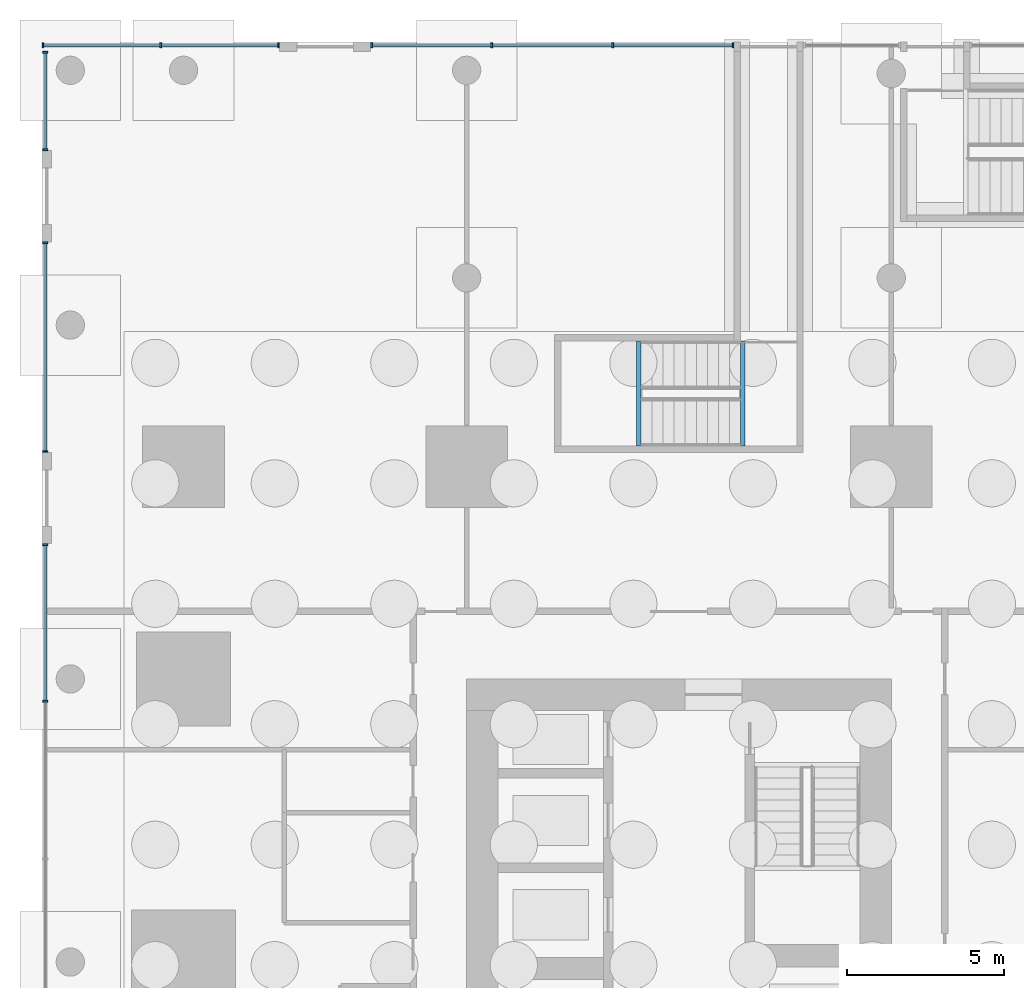
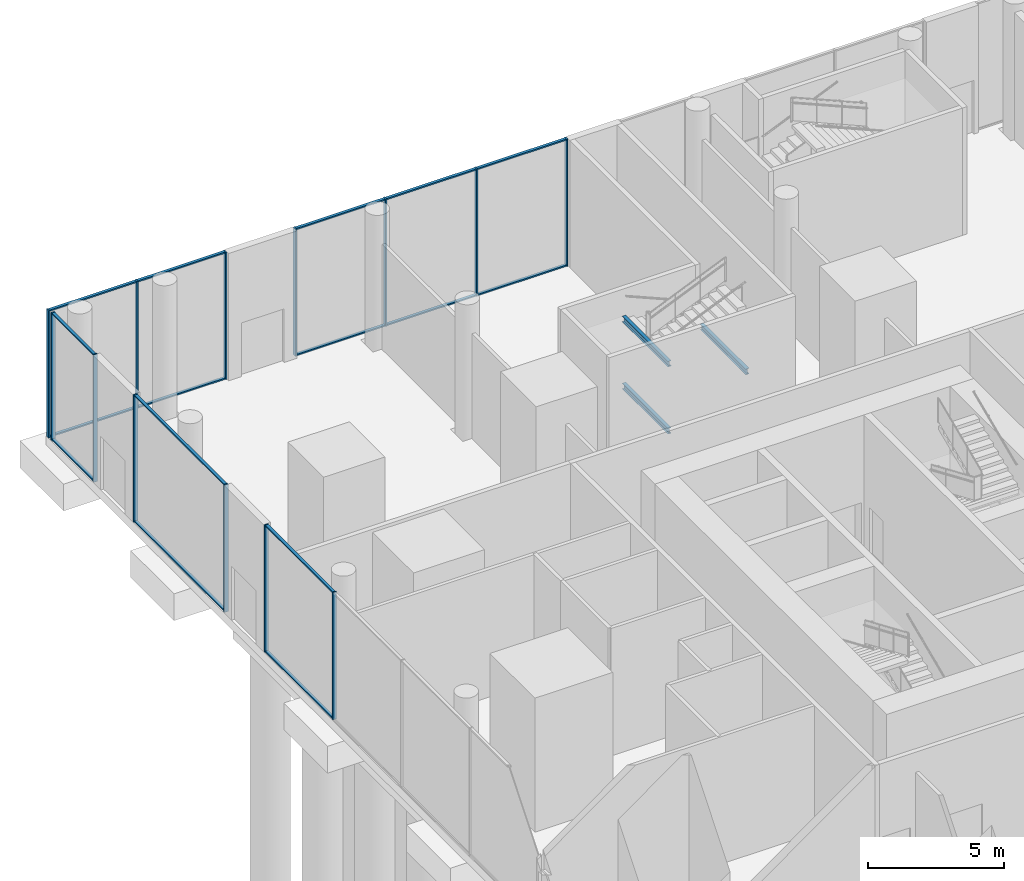
# One storey, part 7 of 31: 29 members, 3 beams, 5 elements without a shape of their own.
"""IFC4 building model written with IfcOpenShell, lengths in metres."""

from ifc_helpers import new_model, si_unit, direction, frame, origin, origin_2d, place, context, subcontext, project, spatial, rectangle, i_section, extrude, material, layer, layer_set, material_profile, profile_set, type_object, element, aggregate, save


model = new_model("IFC4")

# Units and contexts
model_context = context("Model", 3, precision=1e-05, world=origin(), true_north=direction((0.0, 1.0)))
body_context = subcontext(model_context, "Body", "Model", "MODEL_VIEW")
ifc_project = project(units=[si_unit("LENGTHUNIT", "METRE"), si_unit("AREAUNIT", "SQUARE_METRE"), si_unit("VOLUMEUNIT", "CUBIC_METRE"), si_unit("PLANEANGLEUNIT", "RADIAN"), si_unit("MASSUNIT", "GRAM", prefix="KILO")], contexts=[model_context])

# Site, building, storey
site_placement = place(None, origin())
site = spatial("IfcSite", under=ifc_project, at=site_placement, CompositionType="ELEMENT")
building_placement = place(site_placement, origin())
building = spatial("IfcBuilding", under=site, at=building_placement, Name="Namib Vertical Campus", CompositionType="ELEMENT")
storey_placement = place(building_placement, origin())
storey = spatial("IfcBuildingStorey", under=building, at=storey_placement, Name="L00", CompositionType="ELEMENT", Elevation=0.0)

# Curtain wall, members
ifc_material_1 = material(Name="Black aluminium curtain wall", Category="aluminium")
ifc_layer = layer(ifc_material_1, 0.199951171875)
ifc_layer_set = layer_set([ifc_layer], Name="Entrance curtain wall CW-EN")
curtain_wall_type = type_object("IfcCurtainWallType", Name="Entrance curtain wall CW-EN", PredefinedType="USERDEFINED", material=ifc_layer_set)
curtain_wall_1_placement = place(storey_placement, origin())
curtain_wall_1 = element("IfcCurtainWall", 1, at=curtain_wall_1_placement, inside=storey, type_object=curtain_wall_type, Name="Curtain wall CW-EN L00 1-1", ObjectType="CURTAIN WALL", PredefinedType="USERDEFINED")
ifc_material_2 = material(Name="Black anodised aluminium", Category="aluminium")
ifc_material_profile_1 = material_profile(ifc_material_2, rectangle(XDim=0.06005859375, YDim=0.159912109375, at=origin_2d()))
ifc_profile_set_1 = profile_set([ifc_material_profile_1], Name="Black anodised aluminium")
member_type_1 = type_object("IfcMemberType", Name="Curtain wall mullion 60x160", PredefinedType="MULLION", material=ifc_profile_set_1)
member_1_placement = place(storey_placement, frame((7.52001953125, 49.39990234375, 0.0), z_axis=(0.0, 0.0, 1.0), x_axis=(-1.0, 0.0, 0.0)))
member_1 = element("IfcMember", 2, at=member_1_placement, type_object=member_type_1, Name="CW-EN mullion 1", PredefinedType="MULLION", context=body_context, shape_type="SweptSolid", body=[
    extrude(rectangle(XDim=0.06005859375, YDim=0.159912109375, at=origin_2d()), origin(), (0.0, 0.0, 1.0), 5.699951171875),
])
member_2_placement = place(storey_placement, frame((3.77490234375, 49.39990234375, 0.0), z_axis=(0.0, 0.0, 1.0), x_axis=(-1.0, 0.0, 0.0)))
member_2 = element("IfcMember", 3, at=member_2_placement, type_object=member_type_1, Name="CW-EN mullion 2", PredefinedType="MULLION", context=body_context, shape_type="SweptSolid", body=[
    extrude(rectangle(XDim=0.06005859375, YDim=0.159912109375, at=origin_2d()), origin(), (0.0, 0.0, 1.0), 5.699951171875),
])
member_3_placement = place(storey_placement, frame((0.030029296875, 49.39990234375, 0.0), z_axis=(0.0, 0.0, 1.0), x_axis=(-1.0, 0.0, 0.0)))
member_3 = element("IfcMember", 4, at=member_3_placement, type_object=member_type_1, Name="CW-EN mullion 3", PredefinedType="MULLION", context=body_context, shape_type="SweptSolid", body=[
    extrude(rectangle(XDim=0.06005859375, YDim=0.159912109375, at=origin_2d()), origin(), (0.0, 0.0, 1.0), 5.699951171875),
])

curtain_wall_2_placement = place(storey_placement, origin())
curtain_wall_2 = element("IfcCurtainWall", 5, at=curtain_wall_2_placement, inside=storey, type_object=curtain_wall_type, Name="Curtain wall CW-EN L00 3-1", ObjectType="CURTAIN WALL", PredefinedType="USERDEFINED")
member_4_placement = place(storey_placement, frame((21.969970703125, 49.39990234375, 0.0), z_axis=(0.0, 0.0, 1.0), x_axis=(-1.0, 0.0, 0.0)))
member_4 = element("IfcMember", 6, at=member_4_placement, type_object=member_type_1, Name="CW-EN mullion 1", PredefinedType="MULLION", context=body_context, shape_type="SweptSolid", body=[
    extrude(rectangle(XDim=0.06005859375, YDim=0.159912109375, at=origin_2d()), origin(), (0.0, 0.0, 1.0), 5.699951171875),
])
member_5_placement = place(storey_placement, frame((18.14990234375, 49.39990234375, 0.0), z_axis=(0.0, 0.0, 1.0), x_axis=(-1.0, 0.0, 0.0)))
member_5 = element("IfcMember", 7, at=member_5_placement, type_object=member_type_1, Name="CW-EN mullion 2", PredefinedType="MULLION", context=body_context, shape_type="SweptSolid", body=[
    extrude(rectangle(XDim=0.06005859375, YDim=0.159912109375, at=origin_2d()), origin(), (0.0, 0.0, 1.0), 5.699951171875),
])
member_6_placement = place(storey_placement, frame((14.300048828125, 49.39990234375, 0.0), z_axis=(0.0, 0.0, 1.0), x_axis=(-1.0, 0.0, 0.0)))
member_6 = element("IfcMember", 8, at=member_6_placement, type_object=member_type_1, Name="CW-EN mullion 3", PredefinedType="MULLION", context=body_context, shape_type="SweptSolid", body=[
    extrude(rectangle(XDim=0.06005859375, YDim=0.159912109375, at=origin_2d()), origin(), (0.0, 0.0, 1.0), 5.699951171875),
])
member_7_placement = place(storey_placement, frame((10.47998046875, 49.39990234375, 0.0), z_axis=(0.0, 0.0, 1.0), x_axis=(-1.0, 0.0, 0.0)))
member_7 = element("IfcMember", 9, at=member_7_placement, type_object=member_type_1, Name="CW-EN mullion 4", PredefinedType="MULLION", context=body_context, shape_type="SweptSolid", body=[
    extrude(rectangle(XDim=0.06005859375, YDim=0.159912109375, at=origin_2d()), origin(), (0.0, 0.0, 1.0), 5.699951171875),
])

curtain_wall_3_placement = place(storey_placement, origin())
curtain_wall_3 = element("IfcCurtainWall", 10, at=curtain_wall_3_placement, inside=storey, type_object=curtain_wall_type, Name="Curtain wall CW-EN L00 5-1", ObjectType="CURTAIN WALL", PredefinedType="USERDEFINED")
member_8_placement = place(storey_placement, frame((0.10009765625, 33.52001953125, 0.0), z_axis=(0.0, 0.0, 1.0), x_axis=(0.0, -1.0, 0.0)))
member_8 = element("IfcMember", 11, at=member_8_placement, type_object=member_type_1, Name="CW-EN mullion 1", PredefinedType="MULLION", context=body_context, shape_type="SweptSolid", body=[
    extrude(rectangle(XDim=0.06005859375, YDim=0.159912109375, at=origin_2d()), origin(), (0.0, 0.0, 1.0), 5.699951171875),
])
member_9_placement = place(storey_placement, frame((0.10009765625, 28.53759765625, 0.0), z_axis=(0.0, 0.0, 1.0), x_axis=(0.0, -1.0, 0.0)))
member_9 = element("IfcMember", 12, at=member_9_placement, type_object=member_type_1, Name="CW-EN mullion 2", PredefinedType="MULLION", context=body_context, shape_type="SweptSolid", body=[
    extrude(rectangle(XDim=0.06005859375, YDim=0.159912109375, at=origin_2d()), origin(), (0.0, 0.0, 1.0), 5.699951171875),
])

curtain_wall_4_placement = place(storey_placement, origin())
curtain_wall_4 = element("IfcCurtainWall", 13, at=curtain_wall_4_placement, inside=storey, type_object=curtain_wall_type, Name="Curtain wall CW-EN L00 7-1", ObjectType="CURTAIN WALL", PredefinedType="USERDEFINED")
member_10_placement = place(storey_placement, frame((0.10009765625, 43.1201171875, 0.0), z_axis=(0.0, 0.0, 1.0), x_axis=(0.0, -1.0, 0.0)))
member_10 = element("IfcMember", 14, at=member_10_placement, type_object=member_type_1, Name="CW-EN mullion 1", PredefinedType="MULLION", context=body_context, shape_type="SweptSolid", body=[
    extrude(rectangle(XDim=0.06005859375, YDim=0.159912109375, at=origin_2d()), origin(), (0.0, 0.0, 1.0), 5.699951171875),
])
member_11_placement = place(storey_placement, frame((0.10009765625, 36.47998046875, 0.0), z_axis=(0.0, 0.0, 1.0), x_axis=(0.0, -1.0, 0.0)))
member_11 = element("IfcMember", 15, at=member_11_placement, type_object=member_type_1, Name="CW-EN mullion 2", PredefinedType="MULLION", context=body_context, shape_type="SweptSolid", body=[
    extrude(rectangle(XDim=0.06005859375, YDim=0.159912109375, at=origin_2d()), origin(), (0.0, 0.0, 1.0), 5.699951171875),
])

curtain_wall_5_placement = place(storey_placement, origin())
curtain_wall_5 = element("IfcCurtainWall", 16, at=curtain_wall_5_placement, inside=storey, type_object=curtain_wall_type, Name="Curtain wall CW-EN L00 9-1", ObjectType="CURTAIN WALL", PredefinedType="USERDEFINED")
member_12_placement = place(storey_placement, frame((0.10009765625, 49.169921875, 0.0), z_axis=(0.0, 0.0, 1.0), x_axis=(0.0, -1.0, 0.0)))
member_12 = element("IfcMember", 17, at=member_12_placement, type_object=member_type_1, Name="CW-EN mullion 1", PredefinedType="MULLION", context=body_context, shape_type="SweptSolid", body=[
    extrude(rectangle(XDim=0.06005859375, YDim=0.159912109375, at=origin_2d()), origin(), (0.0, 0.0, 1.0), 5.699951171875),
])
member_13_placement = place(storey_placement, frame((0.10009765625, 46.080078125, 0.0), z_axis=(0.0, 0.0, 1.0), x_axis=(0.0, -1.0, 0.0)))
member_13 = element("IfcMember", 18, at=member_13_placement, type_object=member_type_1, Name="CW-EN mullion 2", PredefinedType="MULLION", context=body_context, shape_type="SweptSolid", body=[
    extrude(rectangle(XDim=0.06005859375, YDim=0.159912109375, at=origin_2d()), origin(), (0.0, 0.0, 1.0), 5.699951171875),
])

# Member
ifc_material_3 = material(Name="Black anodised aluminium", Category="aluminium")
ifc_material_profile_2 = material_profile(ifc_material_3, rectangle(XDim=0.06005859375, YDim=0.1201171875, at=origin_2d()))
ifc_profile_set_2 = profile_set([ifc_material_profile_2], Name="Black anodised aluminium")
member_type_2 = type_object("IfcMemberType", Name="Curtain wall transom 60x120", PredefinedType="USERDEFINED", material=ifc_profile_set_2)
member_14_placement = place(storey_placement, frame((7.489990234375, 49.39990234375, 0.030029296875), z_axis=(-1.0, 0.0, 0.0), x_axis=(0.0, 0.0, 1.0)))
member_14 = element("IfcMember", 19, at=member_14_placement, type_object=member_type_2, Name="CW-EN transom 1.1", ObjectType="TRANSOM", PredefinedType="USERDEFINED", context=body_context, shape_type="SweptSolid", body=[
    extrude(rectangle(XDim=0.06005859375, YDim=0.1201171875, at=origin_2d()), origin(), (0.0, 0.0, 1.0), 3.68505859375),
])

member_15_placement = place(storey_placement, frame((7.489990234375, 49.39990234375, 5.669921875), z_axis=(-1.0, 0.0, 0.0), x_axis=(0.0, 0.0, 1.0)))
member_15 = element("IfcMember", 20, at=member_15_placement, type_object=member_type_2, Name="CW-EN transom 1.2", ObjectType="TRANSOM", PredefinedType="USERDEFINED", context=body_context, shape_type="SweptSolid", body=[
    extrude(rectangle(XDim=0.06005859375, YDim=0.1201171875, at=origin_2d()), origin(), (0.0, 0.0, 1.0), 3.68505859375),
])

member_16_placement = place(storey_placement, frame((3.7451171875, 49.39990234375, 0.030029296875), z_axis=(-1.0, 0.0, 0.0), x_axis=(0.0, 0.0, 1.0)))
member_16 = element("IfcMember", 21, at=member_16_placement, type_object=member_type_2, Name="CW-EN transom 2.1", ObjectType="TRANSOM", PredefinedType="USERDEFINED", context=body_context, shape_type="SweptSolid", body=[
    extrude(rectangle(XDim=0.06005859375, YDim=0.1201171875, at=origin_2d()), origin(), (0.0, 0.0, 1.0), 3.68505859375),
])

member_17_placement = place(storey_placement, frame((3.7451171875, 49.39990234375, 5.669921875), z_axis=(-1.0, 0.0, 0.0), x_axis=(0.0, 0.0, 1.0)))
member_17 = element("IfcMember", 22, at=member_17_placement, type_object=member_type_2, Name="CW-EN transom 2.2", ObjectType="TRANSOM", PredefinedType="USERDEFINED", context=body_context, shape_type="SweptSolid", body=[
    extrude(rectangle(XDim=0.06005859375, YDim=0.1201171875, at=origin_2d()), origin(), (0.0, 0.0, 1.0), 3.68505859375),
])

aggregate(curtain_wall_1, [member_1, member_2, member_3, member_14, member_15, member_16, member_17])

member_18_placement = place(storey_placement, frame((21.93994140625, 49.39990234375, 0.030029296875), z_axis=(-1.0, 0.0, 0.0), x_axis=(0.0, 0.0, 1.0)))
member_18 = element("IfcMember", 23, at=member_18_placement, type_object=member_type_2, Name="CW-EN transom 1.1", ObjectType="TRANSOM", PredefinedType="USERDEFINED", context=body_context, shape_type="SweptSolid", body=[
    extrude(rectangle(XDim=0.06005859375, YDim=0.1201171875, at=origin_2d()), origin(), (0.0, 0.0, 1.0), 3.760009765625),
])

member_19_placement = place(storey_placement, frame((21.93994140625, 49.39990234375, 5.669921875), z_axis=(-1.0, 0.0, 0.0), x_axis=(0.0, 0.0, 1.0)))
member_19 = element("IfcMember", 24, at=member_19_placement, type_object=member_type_2, Name="CW-EN transom 1.2", ObjectType="TRANSOM", PredefinedType="USERDEFINED", context=body_context, shape_type="SweptSolid", body=[
    extrude(rectangle(XDim=0.06005859375, YDim=0.1201171875, at=origin_2d()), origin(), (0.0, 0.0, 1.0), 3.760009765625),
])

member_20_placement = place(storey_placement, frame((18.1201171875, 49.39990234375, 0.030029296875), z_axis=(-1.0, 0.0, 0.0), x_axis=(0.0, 0.0, 1.0)))
member_20 = element("IfcMember", 25, at=member_20_placement, type_object=member_type_2, Name="CW-EN transom 2.1", ObjectType="TRANSOM", PredefinedType="USERDEFINED", context=body_context, shape_type="SweptSolid", body=[
    extrude(rectangle(XDim=0.06005859375, YDim=0.1201171875, at=origin_2d()), origin(), (0.0, 0.0, 1.0), 3.7900390625),
])

member_21_placement = place(storey_placement, frame((18.1201171875, 49.39990234375, 5.669921875), z_axis=(-1.0, 0.0, 0.0), x_axis=(0.0, 0.0, 1.0)))
member_21 = element("IfcMember", 26, at=member_21_placement, type_object=member_type_2, Name="CW-EN transom 2.2", ObjectType="TRANSOM", PredefinedType="USERDEFINED", context=body_context, shape_type="SweptSolid", body=[
    extrude(rectangle(XDim=0.06005859375, YDim=0.1201171875, at=origin_2d()), origin(), (0.0, 0.0, 1.0), 3.7900390625),
])

member_22_placement = place(storey_placement, frame((14.27001953125, 49.39990234375, 0.030029296875), z_axis=(-1.0, 0.0, 0.0), x_axis=(0.0, 0.0, 1.0)))
member_22 = element("IfcMember", 27, at=member_22_placement, type_object=member_type_2, Name="CW-EN transom 3.1", ObjectType="TRANSOM", PredefinedType="USERDEFINED", context=body_context, shape_type="SweptSolid", body=[
    extrude(rectangle(XDim=0.06005859375, YDim=0.1201171875, at=origin_2d()), origin(), (0.0, 0.0, 1.0), 3.760009765625),
])

member_23_placement = place(storey_placement, frame((14.27001953125, 49.39990234375, 5.669921875), z_axis=(-1.0, 0.0, 0.0), x_axis=(0.0, 0.0, 1.0)))
member_23 = element("IfcMember", 28, at=member_23_placement, type_object=member_type_2, Name="CW-EN transom 3.2", ObjectType="TRANSOM", PredefinedType="USERDEFINED", context=body_context, shape_type="SweptSolid", body=[
    extrude(rectangle(XDim=0.06005859375, YDim=0.1201171875, at=origin_2d()), origin(), (0.0, 0.0, 1.0), 3.760009765625),
])

aggregate(curtain_wall_2, [member_4, member_5, member_6, member_7, member_18, member_19, member_20, member_21, member_22, member_23])

member_24_placement = place(storey_placement, frame((0.10009765625, 33.489990234375, 0.030029296875), z_axis=(0.0, -1.0, 0.0), x_axis=(0.0, 0.0, 1.0)))
member_24 = element("IfcMember", 29, at=member_24_placement, type_object=member_type_2, Name="CW-EN transom 1.1", ObjectType="TRANSOM", PredefinedType="USERDEFINED", context=body_context, shape_type="SweptSolid", body=[
    extrude(rectangle(XDim=0.06005859375, YDim=0.1201171875, at=origin_2d()), origin(), (0.0, 0.0, 1.0), 4.922607421875),
])

member_25_placement = place(storey_placement, frame((0.10009765625, 33.489990234375, 5.669921875), z_axis=(0.0, -1.0, 0.0), x_axis=(0.0, 0.0, 1.0)))
member_25 = element("IfcMember", 30, at=member_25_placement, type_object=member_type_2, Name="CW-EN transom 1.2", ObjectType="TRANSOM", PredefinedType="USERDEFINED", context=body_context, shape_type="SweptSolid", body=[
    extrude(rectangle(XDim=0.06005859375, YDim=0.1201171875, at=origin_2d()), origin(), (0.0, 0.0, 1.0), 4.922607421875),
])

aggregate(curtain_wall_3, [member_8, member_9, member_24, member_25])

member_26_placement = place(storey_placement, frame((0.10009765625, 43.090087890625, 0.030029296875), z_axis=(0.0, -1.0, 0.0), x_axis=(0.0, 0.0, 1.0)))
member_26 = element("IfcMember", 31, at=member_26_placement, type_object=member_type_2, Name="CW-EN transom 1.1", ObjectType="TRANSOM", PredefinedType="USERDEFINED", context=body_context, shape_type="SweptSolid", body=[
    extrude(rectangle(XDim=0.06005859375, YDim=0.1201171875, at=origin_2d()), origin(), (0.0, 0.0, 1.0), 6.580078125),
])

member_27_placement = place(storey_placement, frame((0.10009765625, 43.090087890625, 5.669921875), z_axis=(0.0, -1.0, 0.0), x_axis=(0.0, 0.0, 1.0)))
member_27 = element("IfcMember", 32, at=member_27_placement, type_object=member_type_2, Name="CW-EN transom 1.2", ObjectType="TRANSOM", PredefinedType="USERDEFINED", context=body_context, shape_type="SweptSolid", body=[
    extrude(rectangle(XDim=0.06005859375, YDim=0.1201171875, at=origin_2d()), origin(), (0.0, 0.0, 1.0), 6.580078125),
])

aggregate(curtain_wall_4, [member_10, member_11, member_26, member_27])

member_28_placement = place(storey_placement, frame((0.10009765625, 49.139892578125, 0.030029296875), z_axis=(0.0, -1.0, 0.0), x_axis=(0.0, 0.0, 1.0)))
member_28 = element("IfcMember", 33, at=member_28_placement, type_object=member_type_2, Name="CW-EN transom 1.1", ObjectType="TRANSOM", PredefinedType="USERDEFINED", context=body_context, shape_type="SweptSolid", body=[
    extrude(rectangle(XDim=0.06005859375, YDim=0.1201171875, at=origin_2d()), origin(), (0.0, 0.0, 1.0), 3.02978515625),
])

member_29_placement = place(storey_placement, frame((0.10009765625, 49.139892578125, 5.669921875), z_axis=(0.0, -1.0, 0.0), x_axis=(0.0, 0.0, 1.0)))
member_29 = element("IfcMember", 34, at=member_29_placement, type_object=member_type_2, Name="CW-EN transom 1.2", ObjectType="TRANSOM", PredefinedType="USERDEFINED", context=body_context, shape_type="SweptSolid", body=[
    extrude(rectangle(XDim=0.06005859375, YDim=0.1201171875, at=origin_2d()), origin(), (0.0, 0.0, 1.0), 3.02978515625),
])

aggregate(curtain_wall_5, [member_12, member_13, member_28, member_29])

# Beams
ifc_material_4 = material(Name="Steel S355JR", Category="steel")
ifc_material_profile_3 = material_profile(ifc_material_4, i_section(OverallWidth=0.14599609375, OverallDepth=0.25146484375, WebThickness=0.006103515625, FlangeThickness=0.008544921875, FilletRadius=0.007568359375, at=origin_2d()))
ifc_profile_set_3 = profile_set([ifc_material_profile_3], Name="Steel S355JR")
beam_type = type_object("IfcBeamType", Name="Landing trimmer UB 254x146x31", PredefinedType="BEAM", material=ifc_profile_set_3)
for number, where, z_axis, x_axis, name in (
    (35, (18.97705078125, 36.64990234375, 1.374267578125), (0.0, 1.0, 0.0), (-1.0, 0.0, 0.0), "Landing trimmer LT1 A-S3 L00 1"),
    (36, (22.27294921875, 36.64990234375, 2.874267578125), (0.0, 1.0, 0.0), (-1.0, 0.0, 0.0), "Landing trimmer LT1 A-S3 L00 2"),
    (37, (18.97705078125, 36.64990234375, 4.374267578125), (0.0, 1.0, 0.0), (-1.0, 0.0, 0.0), "Landing trimmer LT1 A-S3 L00 3"),
):
    element("IfcBeam", number, at=place(storey_placement, frame(where, z_axis=z_axis, x_axis=x_axis)), inside=storey, type_object=beam_type, Name=name, PredefinedType="BEAM", context=body_context, shape_type="SweptSolid", body=[
        extrude(i_section(OverallWidth=0.14599609375, OverallDepth=0.25146484375, WebThickness=0.006103515625, FlangeThickness=0.008544921875, FilletRadius=0.007568359375, at=origin_2d()), origin(), (0.0, 0.0, 1.0), 3.35009765625),
    ])

save(model, "model.ifc")
